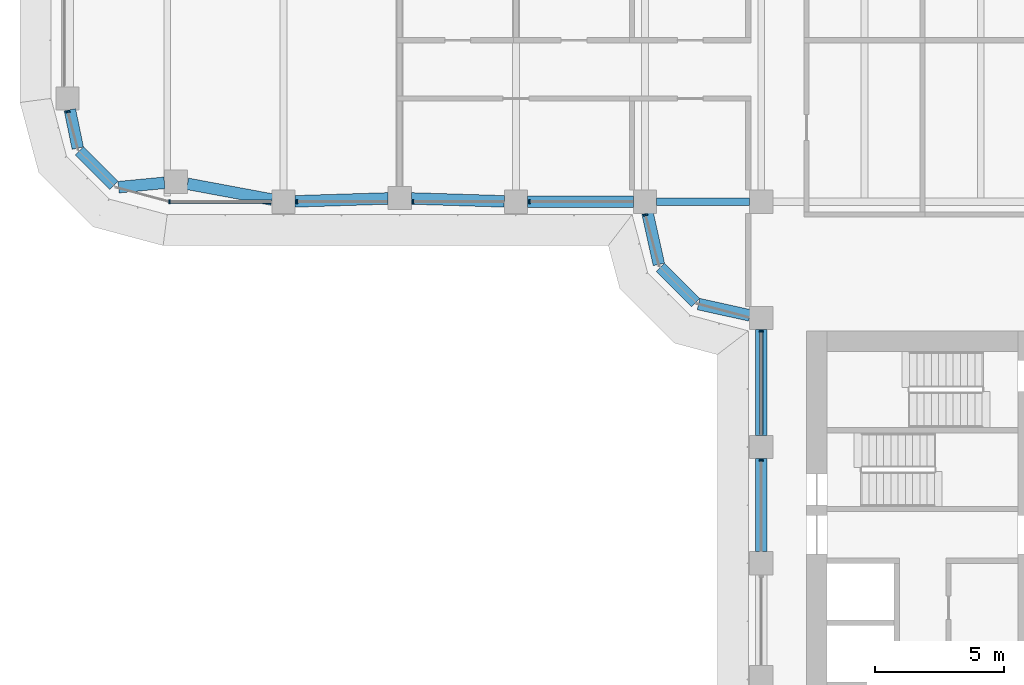
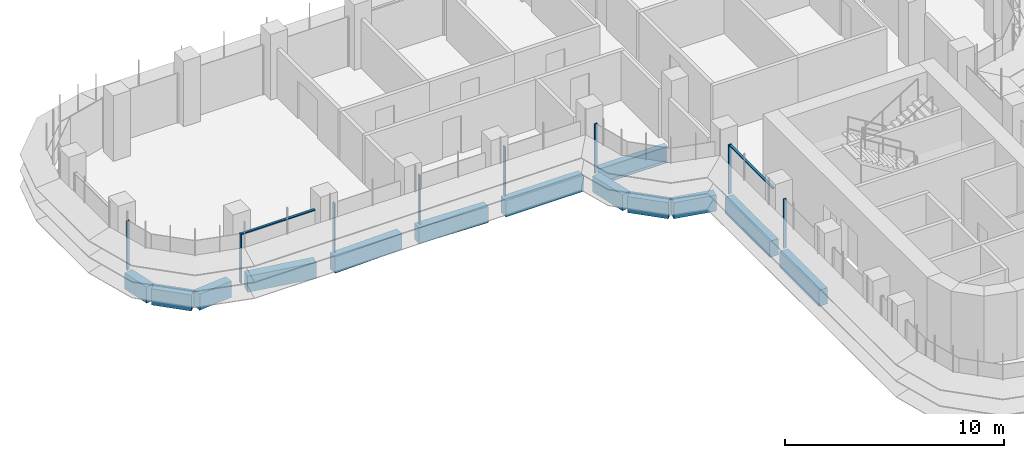
# One storey, part 3 of 22: 13 beams, 10 members, 4 elements without a shape of their own.
"""IFC4 building model written with IfcOpenShell, lengths in metres."""

from ifc_helpers import new_model, si_unit, direction, frame, origin, origin_2d, place, context, subcontext, project, spatial, polyline, rectangle, i_section, outline, extrude, source, transform, mapped, material, material_profile, profile_set, type_object, element, aggregate, save


model = new_model("IFC4")

# Units and contexts
model_context = context("Model", 3, precision=1e-05, world=origin(), true_north=direction((0.0, 1.0)))
body_context = subcontext(model_context, "Body", "Model", "MODEL_VIEW")
ifc_project = project(units=[si_unit("LENGTHUNIT", "METRE"), si_unit("AREAUNIT", "SQUARE_METRE"), si_unit("VOLUMEUNIT", "CUBIC_METRE"), si_unit("PLANEANGLEUNIT", "RADIAN"), si_unit("MASSUNIT", "GRAM", prefix="KILO")], contexts=[model_context])

# Site, building, storey
site_placement = place(None, origin())
site = spatial("IfcSite", under=ifc_project, at=site_placement, CompositionType="ELEMENT")
building_placement = place(site_placement, origin())
building = spatial("IfcBuilding", under=site, at=building_placement, Name="Zarbagh Exchange Tower", CompositionType="ELEMENT")
storey_placement = place(building_placement, frame((0.0, 0.0, 113.199951171875)))
storey = spatial("IfcBuildingStorey", under=building, at=storey_placement, Name="L26", CompositionType="ELEMENT", Elevation=113.199951171875)

# Beams
ifc_material_1 = material(Name="Steel ASTM A992 Gr 50", Category="steel")
ifc_material_profile_1 = material_profile(ifc_material_1, i_section(OverallWidth=0.3046875, OverallDepth=0.911865234375, WebThickness=0.015869140625, FlangeThickness=0.02392578125, at=origin_2d()), Name="W36X150")
ifc_profile_set_1 = profile_set([ifc_material_profile_1], Name="Steel ASTM A992 Gr 50")
beam_type_1 = type_object("IfcBeamType", Name="Floor girder W36X150", PredefinedType="BEAM", material=ifc_profile_set_1)
beam_1_placement = place(storey_placement, frame((-10.300048828125, -6.25, -0.60595703125), z_axis=(1.0, 0.0, 0.0), x_axis=(0.0, 1.0, 0.0)))
element("IfcBeam", 1, at=beam_1_placement, inside=storey, type_object=beam_type_1, Name="Steel girder", PredefinedType="BEAM", context=body_context, shape_type="SweptSolid", body=[
    extrude(i_section(OverallWidth=0.3046875, OverallDepth=0.911865234375, WebThickness=0.015869140625, FlangeThickness=0.02392578125, at=origin_2d()), origin(), (0.0, 0.0, 1.0), 3.60009765625),
])
ifc_material_2 = material(Name="Concrete C60/75", Category="concrete")
ifc_material_profile_2 = material_profile(ifc_material_2, rectangle(XDim=0.449951171875, YDim=0.89990234375, at=origin_2d()), Name="RC spandrel beam 450 x 900 C60/75")
ifc_profile_set_2 = profile_set([ifc_material_profile_2], Name="Concrete C60/75")
beam_type_2 = type_object("IfcBeamType", Name="RC spandrel beam 450 x 900 C60/75", PredefinedType="SPANDREL", material=ifc_profile_set_2)
beam_2_placement = place(storey_placement, frame((-6.25, -19.800048828125, -0.599853515625), z_axis=(0.0, 1.0, 0.0), x_axis=(-1.0, 0.0, 0.0)))
element("IfcBeam", 2, at=beam_2_placement, inside=storey, type_object=beam_type_2, Name="RC spandrel beam", PredefinedType="SPANDREL", context=body_context, shape_type="SweptSolid", body=[
    extrude(rectangle(XDim=0.449951171875, YDim=0.89990234375, at=origin_2d()), origin(), (0.0, 0.0, 1.0), 3.60009765625),
])
beam_3_placement = place(storey_placement, frame((-6.25, -15.300048828125, -0.599853515625), z_axis=(0.0, 1.0, 0.0), x_axis=(-1.0, 0.0, 0.0)))
element("IfcBeam", 3, at=beam_3_placement, inside=storey, type_object=beam_type_2, Name="RC spandrel beam", PredefinedType="SPANDREL", context=body_context, shape_type="SweptSolid", body=[
    extrude(rectangle(XDim=0.449951171875, YDim=0.89990234375, at=origin_2d()), origin(), (0.0, 0.0, 1.0), 4.10009765625),
])
beam_4_placement = place(storey_placement, frame((-6.689453125, -10.65283203125, -0.599853515625), z_axis=(-0.976367325525, 0.216117666208, 0.0), x_axis=(-0.216117666208, -0.976367325525, 0.0)))
element("IfcBeam", 4, at=beam_4_placement, inside=storey, type_object=beam_type_2, Name="RC spandrel beam", PredefinedType="SPANDREL", context=body_context, shape_type="SweptSolid", body=[
    extrude(rectangle(XDim=0.449951171875, YDim=0.89990234375, at=origin_2d()), origin(), (0.0, 0.0, 1.0), 2.03564453125),
])
beam_5_placement = place(storey_placement, frame((-8.78759765625, -10.15234375, -0.599853515625), z_axis=(-0.707106781187, 0.707106781187, 0.0), x_axis=(-0.707106781187, -0.707106781187, 0.0)))
element("IfcBeam", 5, at=beam_5_placement, inside=storey, type_object=beam_type_2, Name="RC spandrel beam", PredefinedType="SPANDREL", context=body_context, shape_type="SweptSolid", body=[
    extrude(rectangle(XDim=0.449951171875, YDim=0.89990234375, at=origin_2d()), origin(), (0.0, 0.0, 1.0), 1.929931640625),
])
beam_6_placement = place(storey_placement, frame((-10.212890625, -8.677001953125, -0.599853515625), z_axis=(-0.216117666208, 0.976367325525, 0.0), x_axis=(-0.976367325525, -0.216117666208, 0.0)))
element("IfcBeam", 6, at=beam_6_placement, inside=storey, type_object=beam_type_2, Name="RC spandrel beam", PredefinedType="SPANDREL", context=body_context, shape_type="SweptSolid", body=[
    extrude(rectangle(XDim=0.449951171875, YDim=0.89990234375, at=origin_2d()), origin(), (0.0, 0.0, 1.0), 2.03564453125),
])
beam_7_placement = place(storey_placement, frame((-11.199951171875, -6.25, -0.599853515625), z_axis=(-1.0, 0.0, 0.0), x_axis=(0.0, -1.0, 0.0)))
element("IfcBeam", 7, at=beam_7_placement, inside=storey, type_object=beam_type_2, Name="RC spandrel beam", PredefinedType="SPANDREL", context=body_context, shape_type="SweptSolid", body=[
    extrude(rectangle(XDim=0.449951171875, YDim=0.89990234375, at=origin_2d()), origin(), (0.0, 0.0, 1.0), 4.10009765625),
])
for number, where, z_axis, x_axis, name in (
    (8, (-16.19970703125, -6.236083984375, -0.599853515625), (-0.999516035224, 0.031107801747, 0.0), (-0.031107801747, -0.999516035224, 0.0), "RC spandrel beam"),
    (9, (-20.69970703125, -6.1240234375, -0.599853515625), (-0.999516035224, -0.031107801747, 0.0), (0.031107801747, -0.999516035224, 0.0), "RC spandrel beam"),
):
    element("IfcBeam", number, at=place(storey_placement, frame(where, z_axis=z_axis, x_axis=x_axis)), inside=storey, type_object=beam_type_2, Name=name, PredefinedType="SPANDREL", context=body_context, shape_type="SweptSolid", body=[
        extrude(rectangle(XDim=0.449951171875, YDim=0.89990234375, at=origin_2d()), origin(), (0.0, 0.0, 1.0), 3.602294921875),
    ])
beam_8_placement = place(storey_placement, frame((-25.1923828125, -6.16748046875, -0.599853515625), z_axis=(-0.98308156541, 0.183168326277, 0.0), x_axis=(-0.183168326277, -0.98308156541, 0.0)))
element("IfcBeam", 10, at=beam_8_placement, inside=storey, type_object=beam_type_2, Name="RC spandrel beam", PredefinedType="SPANDREL", context=body_context, shape_type="SweptSolid", body=[
    extrude(rectangle(XDim=0.449951171875, YDim=0.89990234375, at=origin_2d()), origin(), (0.0, 0.0, 1.0), 3.32958984375),
])
beam_9_placement = place(storey_placement, frame((-29.35595703125, -5.51806640625, -0.599853515625), z_axis=(-0.995433267802, -0.095459988228, 0.0), x_axis=(0.095459988228, -0.995433267802, 0.0)))
element("IfcBeam", 11, at=beam_9_placement, inside=storey, type_object=beam_type_2, Name="RC spandrel beam", PredefinedType="SPANDREL", context=body_context, shape_type="SweptSolid", body=[
    extrude(rectangle(XDim=0.449951171875, YDim=0.89990234375, at=origin_2d()), origin(), (0.0, 0.0, 1.0), 1.78759765625),
])
beam_10_placement = place(storey_placement, frame((-31.316162109375, -5.623779296875, -0.599853515625), z_axis=(-0.707106781187, 0.707106781187, 0.0), x_axis=(-0.707106781187, -0.707106781187, 0.0)))
element("IfcBeam", 12, at=beam_10_placement, inside=storey, type_object=beam_type_2, Name="RC spandrel beam", PredefinedType="SPANDREL", context=body_context, shape_type="SweptSolid", body=[
    extrude(rectangle(XDim=0.449951171875, YDim=0.89990234375, at=origin_2d()), origin(), (0.0, 0.0, 1.0), 1.887939453125),
])
beam_11_placement = place(storey_placement, frame((-32.71240234375, -4.17529296875, -0.599853515625), z_axis=(-0.202275417995, 0.979328675816, 0.0), x_axis=(-0.979328675816, -0.202275417995, 0.0)))
element("IfcBeam", 13, at=beam_11_placement, inside=storey, type_object=beam_type_2, Name="RC spandrel beam", PredefinedType="SPANDREL", context=body_context, shape_type="SweptSolid", body=[
    extrude(rectangle(XDim=0.449951171875, YDim=0.89990234375, at=origin_2d()), origin(), (0.0, 0.0, 1.0), 1.515869140625),
])

# Curtain wall, member
ifc_material_3 = material(Name="Anodised aluminium frame and glazing", Category="aluminium")
curtain_wall_type = type_object("IfcCurtainWallType", Name="CWA Ribbon glazing, lower zones", PredefinedType="NOTDEFINED", material=ifc_material_3)
curtain_wall_1_placement = place(storey_placement, origin())
curtain_wall_1 = element("IfcCurtainWall", 14, at=curtain_wall_1_placement, inside=storey, type_object=curtain_wall_type, Name="CWA37 curtain wall", PredefinedType="NOTDEFINED")
ifc_material_4 = material(Name="Anodised aluminium frame", Category="aluminium")
member_type_1 = type_object("IfcMemberType", Name="MUA Mullion, anodised aluminium frame", PredefinedType="MULLION", material=ifc_material_4)
shared_shape_1 = source(origin(), body_context, "Body", "SweptSolid", [
    extrude(outline(polyline([(0.0, -0.080078125), (0.06005859375, -0.080078125), (0.06005859375, 0.080078125), (0.0, 0.080078125), (0.0, -0.080078125)])), origin(), (0.0, 0.0, 1.0), 2.75),
])
placement = place(storey_placement, origin())
member_1 = element("IfcMember", 15, at=placement, type_object=member_type_1, Name="CWA37 mullion 1.1", PredefinedType="MULLION", context=body_context, shape_type="MappedRepresentation", body=[
    mapped(shared_shape_1, transform((-33.10107421875, -2.739990234375, 0.0), x_axis=(0.258824779902, -0.965924289636, 0.0), y_axis=(0.965924289636, 0.258824779902, 0.0), z_axis=(0.0, 0.0, 1.0))),
])
aggregate(curtain_wall_1, [member_1])

# Curtain wall, members
curtain_wall_2_placement = place(storey_placement, origin())
curtain_wall_2 = element("IfcCurtainWall", 16, at=curtain_wall_2_placement, inside=storey, type_object=curtain_wall_type, Name="CWA40 curtain wall", PredefinedType="NOTDEFINED")
member_2 = element("IfcMember", 17, at=placement, type_object=member_type_1, Name="CWA40 mullion 1.1", PredefinedType="MULLION", context=body_context, shape_type="MappedRepresentation", body=[
    mapped(shared_shape_1, transform((-29.18408203125, -6.25, 0.0), x_axis=(1.0, 0.0, 0.0), y_axis=(0.0, 1.0, 0.0), z_axis=(0.0, 0.0, 1.0))),
])
member_3 = element("IfcMember", 18, at=placement, type_object=member_type_1, Name="CWA40 mullion 2.1", PredefinedType="MULLION", context=body_context, shape_type="MappedRepresentation", body=[
    mapped(shared_shape_1, transform((-24.260009765625, -6.25, 0.0), x_axis=(1.0, 0.0, 0.0), y_axis=(0.0, 1.0, 0.0), z_axis=(0.0, 0.0, 1.0))),
])
member_4 = element("IfcMember", 19, at=placement, type_object=member_type_1, Name="CWA40 mullion 3.1", PredefinedType="MULLION", context=body_context, shape_type="MappedRepresentation", body=[
    mapped(shared_shape_1, transform((-19.760009765625, -6.25, 0.0), x_axis=(1.0, 0.0, 0.0), y_axis=(0.0, 1.0, 0.0), z_axis=(0.0, 0.0, 1.0))),
])
member_5 = element("IfcMember", 20, at=placement, type_object=member_type_1, Name="CWA40 mullion 4.1", PredefinedType="MULLION", context=body_context, shape_type="MappedRepresentation", body=[
    mapped(shared_shape_1, transform((-15.260009765625, -6.25, 0.0), x_axis=(1.0, 0.0, 0.0), y_axis=(0.0, 1.0, 0.0), z_axis=(0.0, 0.0, 1.0))),
])

# Curtain wall, member
curtain_wall_3_placement = place(storey_placement, origin())
curtain_wall_3 = element("IfcCurtainWall", 21, at=curtain_wall_3_placement, inside=storey, type_object=curtain_wall_type, Name="CWA41 curtain wall", PredefinedType="NOTDEFINED")
member_6 = element("IfcMember", 22, at=placement, type_object=member_type_1, Name="CWA41 mullion 1.1", PredefinedType="MULLION", context=body_context, shape_type="MappedRepresentation", body=[
    mapped(shared_shape_1, transform((-10.735107421875, -6.739990234375, 0.0), x_axis=(0.258824779902, -0.965924289636, 0.0), y_axis=(0.965924289636, 0.258824779902, 0.0), z_axis=(0.0, 0.0, 1.0))),
])
aggregate(curtain_wall_3, [member_6])

# Curtain wall, members
curtain_wall_4_placement = place(storey_placement, origin())
curtain_wall_4 = element("IfcCurtainWall", 23, at=curtain_wall_4_placement, inside=storey, type_object=curtain_wall_type, Name="CWA44 curtain wall", PredefinedType="NOTDEFINED")
member_7 = element("IfcMember", 24, at=placement, type_object=member_type_1, Name="CWA44 mullion 1.1", PredefinedType="MULLION", context=body_context, shape_type="MappedRepresentation", body=[
    mapped(shared_shape_1, transform((-6.25, -11.239990234375, 0.0), x_axis=(0.0, -1.0, 0.0), y_axis=(1.0, 0.0, 0.0), z_axis=(0.0, 0.0, 1.0))),
])
member_8 = element("IfcMember", 25, at=placement, type_object=member_type_1, Name="CWA44 mullion 2.1", PredefinedType="MULLION", context=body_context, shape_type="MappedRepresentation", body=[
    mapped(shared_shape_1, transform((-6.25, -16.239990234375, 0.0), x_axis=(0.0, -1.0, 0.0), y_axis=(1.0, 0.0, 0.0), z_axis=(0.0, 0.0, 1.0))),
])
member_type_2 = type_object("IfcMemberType", Name="TRA Transom, anodised aluminium frame", PredefinedType="USERDEFINED", material=ifc_material_4)
shared_shape_2 = source(origin(), body_context, "Body", "SweptSolid", [
    extrude(outline(polyline([(-0.06005859375, -0.06005859375), (0.0, -0.06005859375), (0.0, 0.06005859375), (-0.06005859375, 0.06005859375), (-0.06005859375, -0.06005859375)])), origin(), (0.0, 0.0, 1.0), 3.9599609375),
])
member_9 = element("IfcMember", 26, at=placement, type_object=member_type_2, Name="CWA44 transom 1.1", ObjectType="TRANSOM", PredefinedType="USERDEFINED", context=body_context, shape_type="MappedRepresentation", body=[
    mapped(shared_shape_2, transform((-6.25, -11.300048828125, 2.75), x_axis=(0.0, 0.0, 1.0), y_axis=(-1.0, 0.0, 0.0), z_axis=(0.0, -1.0, 0.0))),
])
aggregate(curtain_wall_4, [member_7, member_9, member_8])

# Member
shared_shape_3 = source(origin(), body_context, "Body", "SweptSolid", [
    extrude(outline(polyline([(-0.06005859375, -0.06005859375), (0.0, -0.06005859375), (0.0, 0.06005859375), (-0.06005859375, 0.06005859375), (-0.06005859375, -0.06005859375)])), origin(), (0.0, 0.0, 1.0), 3.88427734375),
])
member_10 = element("IfcMember", 27, at=placement, type_object=member_type_2, Name="CWA40 transom 1.1", ObjectType="TRANSOM", PredefinedType="USERDEFINED", context=body_context, shape_type="MappedRepresentation", body=[
    mapped(shared_shape_3, transform((-29.124267578125, -6.25, 2.75), x_axis=(0.0, 0.0, 1.0), y_axis=(0.0, -1.0, 0.0), z_axis=(1.0, 0.0, 0.0))),
])

aggregate(curtain_wall_2, [member_2, member_10, member_3, member_4, member_5])

save(model, "model.ifc")
